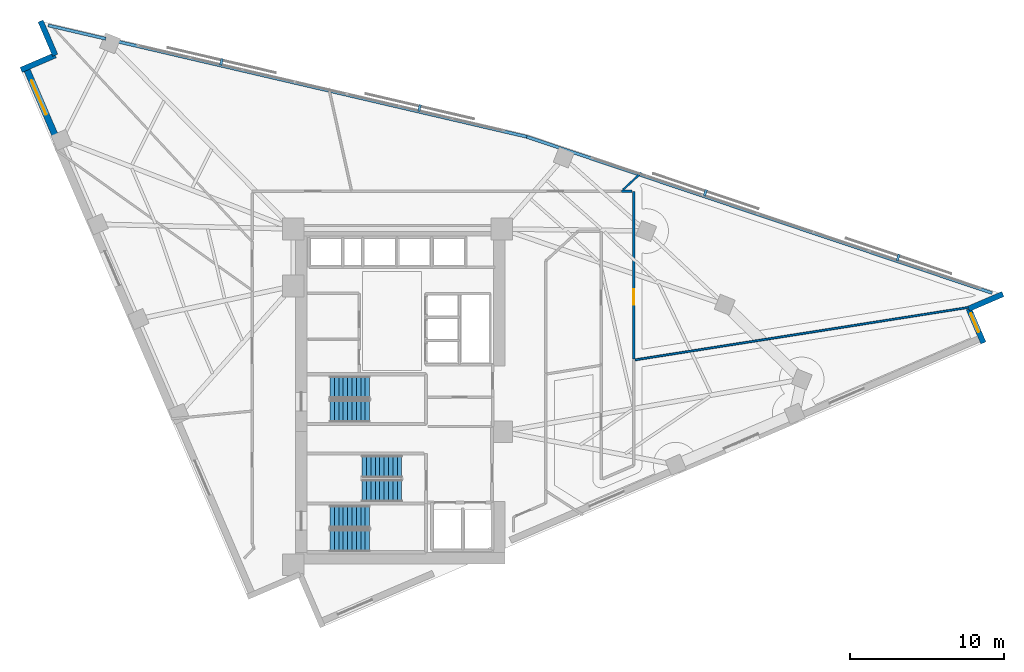
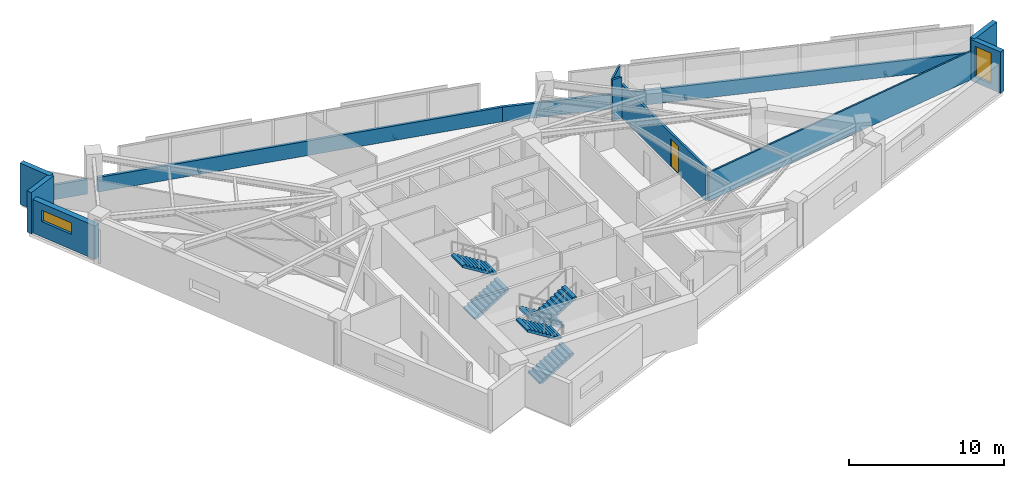
# One storey, part 12 of 14: 12 walls, 6 stair flights, 4 discrete accessories, 2 windows, 1 door, 3 openings, 3 elements without a shape of their own.
"""IFC4 building model written with IfcOpenShell, lengths in metres."""

from ifc_helpers import new_model, si_unit, direction, frame, frame_2d, origin, origin_2d, place, context, subcontext, project, spatial, polyline, rectangle, outline, extrude, material, layer, layer_set, type_object, element, fill, aggregate, save


model = new_model("IFC4")

# Units and contexts
model_context = context("Model", 3, precision=1e-05, world=origin(), true_north=direction((0.0, 1.0)))
body_context = subcontext(model_context, "Body", "Model", "MODEL_VIEW")
ifc_project = project(units=[si_unit("LENGTHUNIT", "METRE"), si_unit("AREAUNIT", "SQUARE_METRE"), si_unit("VOLUMEUNIT", "CUBIC_METRE"), si_unit("PLANEANGLEUNIT", "RADIAN"), si_unit("MASSUNIT", "GRAM", prefix="KILO")], contexts=[model_context])

# Site, building, storey
site_placement = place(None, origin())
site = spatial("IfcSite", under=ifc_project, at=site_placement, CompositionType="ELEMENT")
building_placement = place(site_placement, origin())
building = spatial("IfcBuilding", under=site, at=building_placement, Name="Narakoshi Arena Tower", CompositionType="ELEMENT")
storey_placement = place(building_placement, frame((0.0, 0.0, 179.10009765625)))
storey = spatial("IfcBuildingStorey", under=building, at=storey_placement, Name="L48", CompositionType="ELEMENT", Elevation=179.10009765625)

# Wall, opening, door
ifc_material_1 = material(Name="Gypsum plasterboard fire-rated partition")
ifc_layer_1 = layer(ifc_material_1, 0.1650390625)
ifc_layer_set_1 = layer_set([ifc_layer_1], Name="Gypsum plasterboard fire-rated partition")
wall_type_1 = type_object("IfcWallType", Name="WL-CORR-165", PredefinedType="PARTITIONING", material=ifc_layer_set_1)
wall_1_placement = place(storey_placement, frame((94.10498046875, 48.0498046875, 0.0), z_axis=(0.0, 0.0, 1.0), x_axis=(0.0, 1.0, 0.0)))
wall_1 = element("IfcWall", 1, at=wall_1_placement, inside=storey, type_object=wall_type_1, Name="L48 Corridor Partition 04-1", PredefinedType="PARTITIONING", context=body_context, shape_type="SweptSolid", body=[
    extrude(rectangle(XDim=10.894287109375, YDim=0.1650390625, at=frame_2d((5.447265625, 0.0))), origin(), (0.0, 0.0, 1.0), 2.64501953125),
])
opening_1_placement = place(wall_1_placement, frame((3.52294921875, 0.0, 0.0)))
opening_1 = element("IfcOpeningElement", 2, at=opening_1_placement, cuts=wall_1, Name="Opening D-06", PredefinedType="OPENING", context=body_context, shape_type="SweptSolid", body=[
    extrude(rectangle(XDim=1.0, YDim=2.199951171875, at=frame_2d((0.5, 1.10009765625))), frame((0.0, 0.092529296875, 0.0), z_axis=(0.0, -1.0, 0.0), x_axis=(1.0, 0.0, 0.0)), (0.0, 0.0, 1.0), 0.18505859375),
])
ifc_material_2 = material(Name="Stained oak solid-core timber", Category="wood")
door_type = type_object("IfcDoorType", Name="DR-OFF-1000", OperationType="NOTDEFINED", PredefinedType="DOOR", material=ifc_material_2)
door_placement = place(opening_1_placement, frame((1.0, 0.0, 0.0), z_axis=(0.0, 0.0, 1.0), x_axis=(-1.0, 0.0, 0.0)))
door = element("IfcDoor", 3, at=door_placement, inside=storey, type_object=door_type, Name="DR-L48-017", OperationType="SINGLE_SWING_LEFT", OverallHeight=2.199951171875, OverallWidth=1.0, PredefinedType="DOOR", context=body_context, shape_type="SweptSolid", body=[
    extrude(rectangle(XDim=1.0, YDim=2.199951171875, at=frame_2d((0.5, 1.10009765625))), frame((0.0, 0.02490234375, 0.0), z_axis=(0.0, -1.0, 0.0), x_axis=(1.0, 0.0, 0.0)), (0.0, 0.0, 1.0), 0.050048828125),
])
fill(opening_1, door)

# Walls
wall_2_placement = place(storey_placement, frame((94.010498046875, 58.944091796875, 0.0), z_axis=(0.0, 0.0, 1.0), x_axis=(-1.0, 0.0, 0.0)))
element("IfcWall", 4, at=wall_2_placement, inside=storey, type_object=wall_type_1, Name="L48 Corridor Partition 04-2", PredefinedType="PARTITIONING", context=body_context, shape_type="SweptSolid", body=[
    extrude(rectangle(XDim=0.706787109375, YDim=0.1650390625, at=frame_2d((0.353515625, 0.0))), origin(), (0.0, 0.0, 1.0), 3.260009765625),
])
ifc_material_3 = material(Name="Precast concrete C45/55", Category="concrete")
ifc_layer_2 = layer(ifc_material_3, 0.25)
ifc_layer_set_2 = layer_set([ifc_layer_2], Name="Precast concrete C45/55")
wall_type_2 = type_object("IfcWallType", Name="WL-PARA-250", PredefinedType="PARAPET", material=ifc_layer_set_2)
wall_3_placement = place(storey_placement, frame((117.362548828125, 52.343505859375, 0.0), z_axis=(0.0, 0.0, 1.0), x_axis=(-0.94800468727, 0.31825636351, 0.0)))
element("IfcWall", 5, at=wall_3_placement, inside=storey, type_object=wall_type_2, Name="L48 Hypotenuse Sill Upstand Parapet 1-01", PredefinedType="PARAPET", context=body_context, shape_type="SweptSolid", body=[
    extrude(rectangle(XDim=31.869140625, YDim=0.199951171875, at=frame_2d((15.9345703125, 0.0))), origin(), (0.0, 0.0, 1.0), 1.14990234375),
])
wall_4_placement = place(storey_placement, frame((87.1650390625, 62.48193359375, 0.0), z_axis=(0.0, 0.0, 1.0), x_axis=(-0.973958631559, 0.226725790352, 0.0)))
element("IfcWall", 6, at=wall_4_placement, inside=storey, type_object=wall_type_2, Name="L48 Hypotenuse Sill Upstand Parapet 2-01", PredefinedType="PARAPET", context=body_context, shape_type="SweptSolid", body=[
    extrude(rectangle(XDim=27.375732421875, YDim=0.199951171875, at=frame_2d((13.68798828125, 0.0))), origin(), (0.0, 0.0, 1.0), 1.14990234375),
])
wall_5_placement = place(storey_placement, frame((59.8408203125, 68.842529296875, 0.0), z_axis=(0.0, 0.0, 1.0), x_axis=(-0.973951848941, 0.226754924851, 0.0)))
element("IfcWall", 7, at=wall_5_placement, inside=storey, type_object=wall_type_2, Name="L48 Hypotenuse Sill Upstand Parapet 2-02", PredefinedType="PARAPET", context=body_context, shape_type="SweptSolid", body=[
    extrude(rectangle(XDim=3.837158203125, YDim=0.199951171875, at=frame_2d((1.91845703125, 0.0))), origin(), (0.0, 0.0, 1.0), 1.14990234375),
])
ifc_layer_3 = layer(ifc_material_1, 0.125)
ifc_layer_set_3 = layer_set([ifc_layer_3], Name="Gypsum plasterboard fire-rated partition")
wall_type_3 = type_object("IfcWallType", Name="WL-PART-125", PredefinedType="PARTITIONING", material=ifc_layer_set_3)
wall_6_placement = place(storey_placement, frame((94.199462890625, 48.0048828125, 0.0), z_axis=(0.0, 0.0, 1.0), x_axis=(0.987847987509, 0.155423143625, 0.0)))
element("IfcWall", 8, at=wall_6_placement, inside=storey, type_object=wall_type_3, Name="L48 Inter-Room Partition 03-04", PredefinedType="PARTITIONING", context=body_context, shape_type="SweptSolid", body=[
    extrude(rectangle(XDim=22.24267578125, YDim=0.125, at=frame_2d((11.121337890625, 0.0))), origin(), (0.0, 0.0, 1.0), 2.244873046875),
])
wall_7_placement = place(storey_placement, frame((93.4052734375, 59.03857421875, 0.0), z_axis=(0.0, 0.0, 1.0), x_axis=(0.73167057056, 0.681658401383, 0.0)))
element("IfcWall", 9, at=wall_7_placement, inside=storey, type_object=wall_type_3, Name="L48 Inter-Room Partition 04-06", PredefinedType="PARTITIONING", context=body_context, shape_type="SweptSolid", body=[
    extrude(rectangle(XDim=1.63525390625, YDim=0.125, at=frame_2d((0.817626953125, 0.0))), origin(), (0.0, 0.0, 1.0), 3.260009765625),
])

# Wall, opening, window
ifc_layer_4 = layer(ifc_material_3, 0.419921875)
ifc_layer_set_4 = layer_set([ifc_layer_4], Name="Precast concrete C45/55")
wall_type_4 = type_object("IfcWallType", Name="WL-POD-420", PredefinedType="SOLIDWALL", material=ifc_layer_set_4)
wall_8_placement = place(storey_placement, frame((54.6708984375, 66.958984375, 0.0), z_axis=(0.0, 0.0, 1.0), x_axis=(0.394733507229, -0.918795656428, 0.0)))
wall_8 = element("IfcWall", 10, at=wall_8_placement, inside=storey, type_object=wall_type_4, Name="L48 Architectural Concrete Facade Wall LEGB-1", PredefinedType="SOLIDWALL", context=body_context, shape_type="SweptSolid", body=[
    extrude(rectangle(XDim=5.210205078125, YDim=0.419921875, at=frame_2d((2.60498046875, 0.0))), origin(), (0.0, 0.0, 1.0), 2.64501953125),
])
opening_2_placement = place(wall_8_placement, frame((0.89990234375, 0.0, 1.199951171875)))
opening_2 = element("IfcOpeningElement", 11, at=opening_2_placement, cuts=wall_8, Name="Opening WN-01", PredefinedType="OPENING", context=body_context, shape_type="SweptSolid", body=[
    extrude(rectangle(XDim=2.39990234375, YDim=0.89990234375, at=frame_2d((1.199951171875, 0.449951171875))), frame((0.0, 0.219970703125, 0.0), z_axis=(0.0, -1.0, 0.0), x_axis=(1.0, 0.0, 0.0)), (0.0, 0.0, 1.0), 0.43994140625),
])
ifc_material_4 = material(Name="Bronze-tinted low-E laminated glass", Category="glass")
window_type_1 = type_object("IfcWindowType", Name="WIN-SLT-24x09", PartitioningType="SINGLE_PANEL", PredefinedType="WINDOW", material=ifc_material_4)
window_1_placement = place(opening_2_placement, origin())
window_1 = element("IfcWindow", 12, at=window_1_placement, inside=storey, type_object=window_type_1, Name="L48 LEGB1 Horizontal Slot Window 1", OverallHeight=0.89990234375, OverallWidth=2.39990234375, PartitioningType="SINGLE_PANEL", PredefinedType="WINDOW", context=body_context, shape_type="SweptSolid", body=[
    extrude(rectangle(XDim=2.39990234375, YDim=0.89990234375, at=frame_2d((1.199951171875, 0.449951171875))), frame((0.0, 0.030029296875, 0.0), z_axis=(0.0, -1.0, 0.0), x_axis=(1.0, 0.0, 0.0)), (0.0, 0.0, 1.0), 0.06005859375),
])
fill(opening_2, window_1)

wall_9_placement = place(storey_placement, frame((116.8017578125, 49.105712890625, 0.0), z_axis=(0.0, 0.0, 1.0), x_axis=(-0.394712707157, 0.918804592288, 0.0)))
wall_9 = element("IfcWall", 13, at=wall_9_placement, inside=storey, type_object=wall_type_4, Name="L48 Re-Entrant Corner Notch Wall NTE-1", PredefinedType="SOLIDWALL", context=body_context, shape_type="SweptSolid", body=[
    extrude(rectangle(XDim=2.41357421875, YDim=0.360107421875, at=frame_2d((1.206787109375, 0.0))), origin(), (0.0, 0.0, 1.0), 3.260009765625),
])
opening_3_placement = place(wall_9_placement, frame((0.7734375, 0.0, 0.449951171875)))
opening_3 = element("IfcOpeningElement", 14, at=opening_3_placement, cuts=wall_9, Name="Opening WN-06", PredefinedType="OPENING", context=body_context, shape_type="SweptSolid", body=[
    extrude(rectangle(XDim=1.300048828125, YDim=2.39990234375, at=frame_2d((0.64990234375, 1.199951171875))), frame((0.0, 0.18994140625, 0.0), z_axis=(0.0, -1.0, 0.0), x_axis=(1.0, 0.0, 0.0)), (0.0, 0.0, 1.0), 0.380126953125),
])
window_type_2 = type_object("IfcWindowType", Name="WIN-NTC-16x24", PartitioningType="SINGLE_PANEL", PredefinedType="WINDOW", material=ifc_material_4)
window_2_placement = place(opening_3_placement, origin())
window_2 = element("IfcWindow", 15, at=window_2_placement, inside=storey, type_object=window_type_2, Name="L48 Corner Notch Window NTE", OverallHeight=2.39990234375, OverallWidth=1.300048828125, PartitioningType="SINGLE_PANEL", PredefinedType="WINDOW", context=body_context, shape_type="SweptSolid", body=[
    extrude(rectangle(XDim=1.300048828125, YDim=2.39990234375, at=frame_2d((0.64990234375, 1.199951171875))), frame((0.0, 0.030029296875, 0.0), z_axis=(0.0, -1.0, 0.0), x_axis=(1.0, 0.0, 0.0)), (0.0, 0.0, 1.0), 0.06005859375),
])
fill(opening_3, window_2)

# Walls
wall_10_placement = place(storey_placement, frame((115.84912109375, 51.3232421875, 0.0), z_axis=(0.0, 0.0, 1.0), x_axis=(0.918788830096, 0.394749396062, 0.0)))
element("IfcWall", 16, at=wall_10_placement, inside=storey, type_object=wall_type_4, Name="L48 Re-Entrant Corner Notch Wall NTE-2", PredefinedType="SOLIDWALL", context=body_context, shape_type="SweptSolid", body=[
    extrude(rectangle(XDim=2.413330078125, YDim=0.360107421875, at=frame_2d((1.20654296875, 0.0))), origin(), (0.0, 0.0, 1.0), 3.260009765625),
])
wall_11_placement = place(storey_placement, frame((55.614013671875, 69.99072265625, 0.0), z_axis=(0.0, 0.0, 1.0), x_axis=(0.394663989422, -0.918825519592, 0.0)))
element("IfcWall", 17, at=wall_11_placement, inside=storey, type_object=wall_type_4, Name="L48 Re-Entrant Corner Notch Wall NTN-1", PredefinedType="SOLIDWALL", context=body_context, shape_type="SweptSolid", body=[
    extrude(rectangle(XDim=2.4130859375, YDim=0.360107421875, at=frame_2d((1.20654296875, 0.0))), origin(), (0.0, 0.0, 1.0), 3.260009765625),
])
wall_12_placement = place(storey_placement, frame((56.56640625, 67.7734375, 0.0), z_axis=(0.0, 0.0, 1.0), x_axis=(-0.918788830096, -0.394749396062, 0.0)))
element("IfcWall", 18, at=wall_12_placement, inside=storey, type_object=wall_type_4, Name="L48 Re-Entrant Corner Notch Wall NTN-2", PredefinedType="SOLIDWALL", context=body_context, shape_type="SweptSolid", body=[
    extrude(rectangle(XDim=2.413330078125, YDim=0.360107421875, at=frame_2d((1.20654296875, 0.0))), origin(), (0.0, 0.0, 1.0), 3.260009765625),
])

# Stair, stair flights
ifc_material_5 = material(Name="Concrete C45/55", Category="concrete")
stair_type = type_object("IfcStairType", Name="STR-CORE-352", PredefinedType="TWO_STRAIGHT_RUN_STAIR", material=ifc_material_5)
stair_1_placement = place(storey_placement, origin())
stair_1 = element("IfcStair", 19, at=stair_1_placement, inside=storey, type_object=stair_type, Name="L48 Core Escape Stair ST1", PredefinedType="TWO_STRAIGHT_RUN_STAIR")
stair_flight_type = type_object("IfcStairFlightType", Name="FLT-145-160", PredefinedType="STRAIGHT", material=ifc_material_3)
stair_flight_1_placement = place(storey_placement, frame((74.39990234375, 36.27490234375, 0.0), z_axis=(0.0, 0.0, 1.0), x_axis=(1.0, 0.0, 0.0)))
stair_flight_1 = element("IfcStairFlight", 20, at=stair_flight_1_placement, type_object=stair_flight_type, Name="ST1 flight 1", NumberOfRisers=10, NumberOfTreads=9, PredefinedType="STRAIGHT", RiserHeight=0.176, TreadLength=0.285, context=body_context, shape_type="SweptSolid", body=[
    extrude(outline(polyline([(0.0, 0.0), (0.0, 0.176025390625), (0.284912109375, 0.176025390625), (0.284912109375, 0.35205078125), (0.570068359375, 0.35205078125), (0.570068359375, 0.528076171875), (0.85498046875, 0.528076171875), (0.85498046875, 0.7041015625), (1.139892578125, 0.7041015625), (1.139892578125, 0.8798828125), (1.425048828125, 0.8798828125), (1.425048828125, 1.055908203125), (1.7099609375, 1.055908203125), (1.7099609375, 1.23193359375), (1.9951171875, 1.23193359375), (1.9951171875, 1.407958984375), (2.280029296875, 1.407958984375), (2.280029296875, 1.583984375), (2.56494140625, 1.583984375), (2.56494140625, 1.760009765625), (2.56494140625, 1.40771484375), (0.285400390625, 0.0), (0.0, 0.0)])), frame((0.0, 0.72509765625, 0.0), z_axis=(0.0, -1.0, 0.0), x_axis=(1.0, 0.0, 0.0)), (0.0, 0.0, 1.0), 1.449951171875),
])
stair_flight_2_placement = place(storey_placement, frame((76.965087890625, 37.824951171875, 1.760009765625), z_axis=(0.0, 0.0, 1.0), x_axis=(-1.0, 0.0, 0.0)))
stair_flight_2 = element("IfcStairFlight", 21, at=stair_flight_2_placement, type_object=stair_flight_type, Name="ST1 flight 2", NumberOfRisers=10, NumberOfTreads=9, PredefinedType="STRAIGHT", RiserHeight=0.176, TreadLength=0.285, context=body_context, shape_type="SweptSolid", body=[
    extrude(outline(polyline([(0.0, 0.0), (0.0, 0.176025390625), (0.284912109375, 0.176025390625), (0.284912109375, 0.35205078125), (0.570068359375, 0.35205078125), (0.570068359375, 0.528076171875), (0.85498046875, 0.528076171875), (0.85498046875, 0.7041015625), (1.139892578125, 0.7041015625), (1.139892578125, 0.8798828125), (1.425048828125, 0.8798828125), (1.425048828125, 1.055908203125), (1.7099609375, 1.055908203125), (1.7099609375, 1.23193359375), (1.9951171875, 1.23193359375), (1.9951171875, 1.407958984375), (2.280029296875, 1.407958984375), (2.280029296875, 1.583984375), (2.56494140625, 1.583984375), (2.56494140625, 1.760009765625), (2.56494140625, 1.40771484375), (0.285400390625, 0.0), (0.0, 0.0)])), frame((0.0, 0.72509765625, 0.0), z_axis=(0.0, -1.0, 0.0), x_axis=(1.0, 0.0, 0.0)), (0.0, 0.0, 1.0), 1.449951171875),
])
aggregate(stair_1, [stair_flight_1, stair_flight_2])

stair_2_placement = place(storey_placement, origin())
stair_2 = element("IfcStair", 22, at=stair_2_placement, inside=storey, type_object=stair_type, Name="L48 Core Escape Stair ST2", PredefinedType="TWO_STRAIGHT_RUN_STAIR")
stair_flight_3_placement = place(storey_placement, frame((79.050048828125, 41.074951171875, 0.0), z_axis=(0.0, 0.0, 1.0), x_axis=(-1.0, 0.0, 0.0)))
stair_flight_3 = element("IfcStairFlight", 23, at=stair_flight_3_placement, type_object=stair_flight_type, Name="ST2 flight 1", NumberOfRisers=10, NumberOfTreads=9, PredefinedType="STRAIGHT", RiserHeight=0.176, TreadLength=0.285, context=body_context, shape_type="SweptSolid", body=[
    extrude(outline(polyline([(0.0, 0.0), (0.0, 0.176025390625), (0.284912109375, 0.176025390625), (0.284912109375, 0.35205078125), (0.570068359375, 0.35205078125), (0.570068359375, 0.528076171875), (0.85498046875, 0.528076171875), (0.85498046875, 0.7041015625), (1.139892578125, 0.7041015625), (1.139892578125, 0.8798828125), (1.425048828125, 0.8798828125), (1.425048828125, 1.055908203125), (1.7099609375, 1.055908203125), (1.7099609375, 1.23193359375), (1.9951171875, 1.23193359375), (1.9951171875, 1.407958984375), (2.280029296875, 1.407958984375), (2.280029296875, 1.583984375), (2.56494140625, 1.583984375), (2.56494140625, 1.760009765625), (2.56494140625, 1.40771484375), (0.285400390625, 0.0), (0.0, 0.0)])), frame((0.0, 0.72509765625, 0.0), z_axis=(0.0, -1.0, 0.0), x_axis=(1.0, 0.0, 0.0)), (0.0, 0.0, 1.0), 1.449951171875),
])
stair_flight_4_placement = place(storey_placement, frame((76.485107421875, 39.52490234375, 1.760009765625), z_axis=(0.0, 0.0, 1.0), x_axis=(1.0, 0.0, 0.0)))
stair_flight_4 = element("IfcStairFlight", 24, at=stair_flight_4_placement, type_object=stair_flight_type, Name="ST2 flight 2", NumberOfRisers=10, NumberOfTreads=9, PredefinedType="STRAIGHT", RiserHeight=0.176, TreadLength=0.285, context=body_context, shape_type="SweptSolid", body=[
    extrude(outline(polyline([(0.0, 0.0), (0.0, 0.176025390625), (0.284912109375, 0.176025390625), (0.284912109375, 0.35205078125), (0.570068359375, 0.35205078125), (0.570068359375, 0.528076171875), (0.85498046875, 0.528076171875), (0.85498046875, 0.7041015625), (1.139892578125, 0.7041015625), (1.139892578125, 0.8798828125), (1.425048828125, 0.8798828125), (1.425048828125, 1.055908203125), (1.7099609375, 1.055908203125), (1.7099609375, 1.23193359375), (1.9951171875, 1.23193359375), (1.9951171875, 1.407958984375), (2.280029296875, 1.407958984375), (2.280029296875, 1.583984375), (2.56494140625, 1.583984375), (2.56494140625, 1.760009765625), (2.56494140625, 1.40771484375), (0.285400390625, 0.0), (0.0, 0.0)])), frame((0.0, 0.72509765625, 0.0), z_axis=(0.0, -1.0, 0.0), x_axis=(1.0, 0.0, 0.0)), (0.0, 0.0, 1.0), 1.449951171875),
])
aggregate(stair_2, [stair_flight_3, stair_flight_4])

stair_3_placement = place(storey_placement, origin())
stair_3 = element("IfcStair", 25, at=stair_3_placement, inside=storey, type_object=stair_type, Name="L48 Core Escape Stair ST3", PredefinedType="TWO_STRAIGHT_RUN_STAIR")
stair_flight_5_placement = place(storey_placement, frame((74.39990234375, 44.675048828125, 0.0), z_axis=(0.0, 0.0, 1.0), x_axis=(1.0, 0.0, 0.0)))
stair_flight_5 = element("IfcStairFlight", 26, at=stair_flight_5_placement, type_object=stair_flight_type, Name="ST3 flight 1", NumberOfRisers=10, NumberOfTreads=9, PredefinedType="STRAIGHT", RiserHeight=0.176, TreadLength=0.285, context=body_context, shape_type="SweptSolid", body=[
    extrude(outline(polyline([(0.0, 0.0), (0.0, 0.176025390625), (0.284912109375, 0.176025390625), (0.284912109375, 0.35205078125), (0.570068359375, 0.35205078125), (0.570068359375, 0.528076171875), (0.85498046875, 0.528076171875), (0.85498046875, 0.7041015625), (1.139892578125, 0.7041015625), (1.139892578125, 0.8798828125), (1.425048828125, 0.8798828125), (1.425048828125, 1.055908203125), (1.7099609375, 1.055908203125), (1.7099609375, 1.23193359375), (1.9951171875, 1.23193359375), (1.9951171875, 1.407958984375), (2.280029296875, 1.407958984375), (2.280029296875, 1.583984375), (2.56494140625, 1.583984375), (2.56494140625, 1.760009765625), (2.56494140625, 1.40771484375), (0.285400390625, 0.0), (0.0, 0.0)])), frame((0.0, 0.72509765625, 0.0), z_axis=(0.0, -1.0, 0.0), x_axis=(1.0, 0.0, 0.0)), (0.0, 0.0, 1.0), 1.449951171875),
])
stair_flight_6_placement = place(storey_placement, frame((76.965087890625, 46.22509765625, 1.760009765625), z_axis=(0.0, 0.0, 1.0), x_axis=(-1.0, 0.0, 0.0)))
stair_flight_6 = element("IfcStairFlight", 27, at=stair_flight_6_placement, type_object=stair_flight_type, Name="ST3 flight 2", NumberOfRisers=10, NumberOfTreads=9, PredefinedType="STRAIGHT", RiserHeight=0.176, TreadLength=0.285, context=body_context, shape_type="SweptSolid", body=[
    extrude(outline(polyline([(0.0, 0.0), (0.0, 0.176025390625), (0.284912109375, 0.176025390625), (0.284912109375, 0.35205078125), (0.570068359375, 0.35205078125), (0.570068359375, 0.528076171875), (0.85498046875, 0.528076171875), (0.85498046875, 0.7041015625), (1.139892578125, 0.7041015625), (1.139892578125, 0.8798828125), (1.425048828125, 0.8798828125), (1.425048828125, 1.055908203125), (1.7099609375, 1.055908203125), (1.7099609375, 1.23193359375), (1.9951171875, 1.23193359375), (1.9951171875, 1.407958984375), (2.280029296875, 1.407958984375), (2.280029296875, 1.583984375), (2.56494140625, 1.583984375), (2.56494140625, 1.760009765625), (2.56494140625, 1.40771484375), (0.285400390625, 0.0), (0.0, 0.0)])), frame((0.0, 0.72509765625, 0.0), z_axis=(0.0, -1.0, 0.0), x_axis=(1.0, 0.0, 0.0)), (0.0, 0.0, 1.0), 1.449951171875),
])
aggregate(stair_3, [stair_flight_5, stair_flight_6])

# Discrete accessories
ifc_material_6 = material(Name="Structural steel S355J2", Category="steel")
discrete_accessory_type = type_object("IfcDiscreteAccessoryType", Name="ACC-BRK-SCR", PredefinedType="BRACKET", material=ifc_material_6)
for number, where, z_axis, x_axis, name in (
    (28, (111.266357421875, 54.64306640625, -0.080078125), (0.0, 0.0, 1.0), (-0.948001964735, 0.318264473134, 0.0), "L48 Solar Screen Support Bracket SHD-L48-SCR1-1"),
    (29, (98.752685546875, 58.84423828125, -0.080078125), (0.0, 0.0, 1.0), (-0.948001964735, 0.318264473134, 0.0), "L48 Solar Screen Support Bracket SHD-L48-SCR1-2"),
    (30, (80.206787109375, 64.34814453125, -0.080078125), (0.0, 0.0, 1.0), (-0.973960141659, 0.226719303234, 0.0), "L48 Solar Screen Support Bracket SHD-L48-SCR2-1"),
    (31, (67.3505859375, 67.3408203125, -0.080078125), (0.0, 0.0, 1.0), (-0.973960141659, 0.226719303234, 0.0), "L48 Solar Screen Support Bracket SHD-L48-SCR2-2"),
):
    element("IfcDiscreteAccessory", number, at=place(storey_placement, frame(where, z_axis=z_axis, x_axis=x_axis)), inside=storey, type_object=discrete_accessory_type, Name=name, PredefinedType="BRACKET", context=body_context, shape_type="SweptSolid", body=[
        extrude(rectangle(XDim=0.159912109375, YDim=0.43994140625, at=origin_2d()), origin(), (0.0, 0.0, 1.0), 0.199951171875),
    ])

save(model, "model.ifc")
